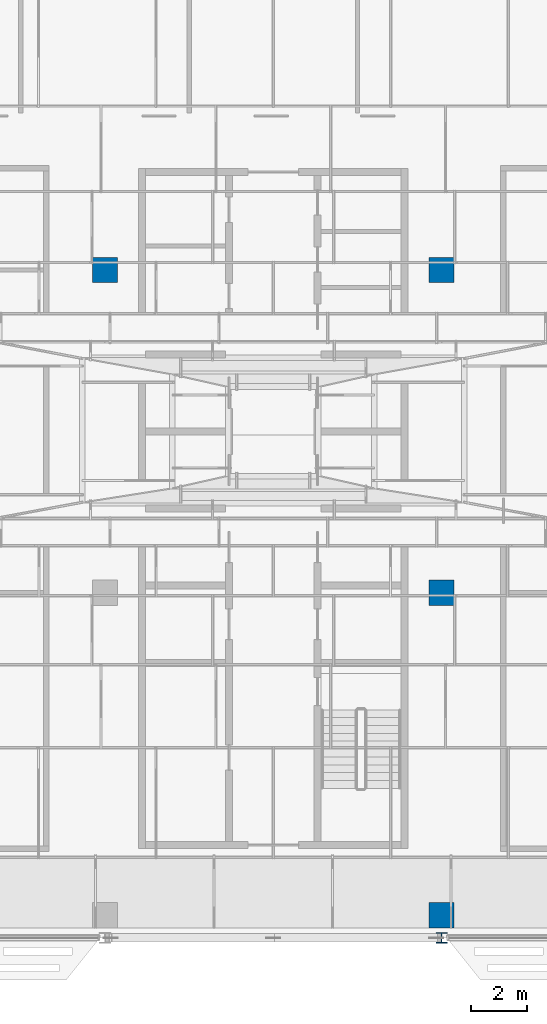
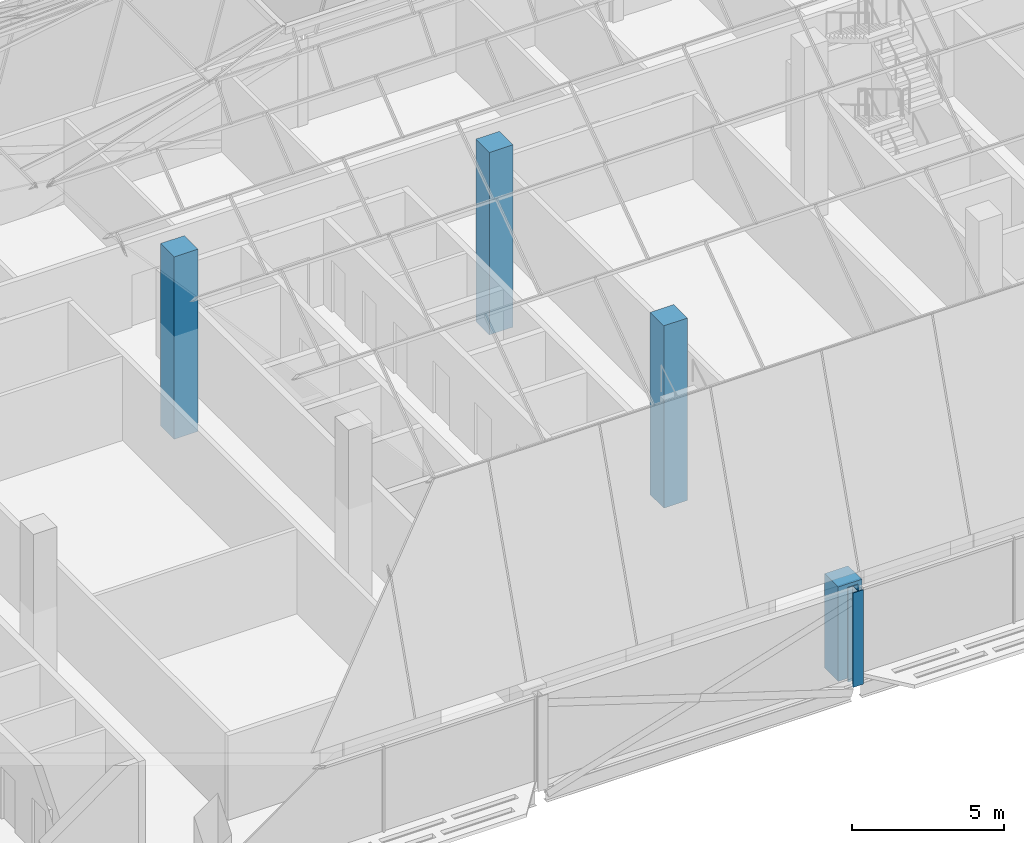
# One storey, part 2 of 39: 5 columns.
"""IFC4 building model written with IfcOpenShell, lengths in metres."""

from ifc_helpers import new_model, si_unit, direction, frame, origin, origin_2d, place, context, subcontext, project, spatial, rectangle, i_section, extrude, material, material_profile, profile_set, type_object, element, save


model = new_model("IFC4")

# Units and contexts
model_context = context("Model", 3, precision=1e-05, world=origin(), true_north=direction((0.0, 1.0)))
body_context = subcontext(model_context, "Body", "Model", "MODEL_VIEW")
ifc_project = project(units=[si_unit("LENGTHUNIT", "METRE"), si_unit("AREAUNIT", "SQUARE_METRE"), si_unit("VOLUMEUNIT", "CUBIC_METRE"), si_unit("PLANEANGLEUNIT", "RADIAN"), si_unit("MASSUNIT", "GRAM", prefix="KILO")], contexts=[model_context])

# Site, building, storey
site_placement = place(None, origin())
site = spatial("IfcSite", under=ifc_project, at=site_placement, CompositionType="ELEMENT")
building_placement = place(site_placement, origin())
building = spatial("IfcBuilding", under=site, at=building_placement, Name="Mahtab Terrace Research Tower", CompositionType="ELEMENT")
storey_placement = place(building_placement, frame((0.0, 0.0, 282.300048828125)))
storey = spatial("IfcBuildingStorey", under=building, at=storey_placement, Name="L69", CompositionType="ELEMENT", Elevation=282.300048828125)

# Columns
ifc_material_1 = material(Name="Concrete C70/85", Category="concrete")
ifc_material_profile_1 = material_profile(ifc_material_1, rectangle(XDim=0.89990234375, YDim=0.89990234375, at=origin_2d()), Name="RC column 900x900")
ifc_profile_set_1 = profile_set([ifc_material_profile_1], Name="Concrete C70/85")
column_type_1 = type_object("IfcColumnType", Name="RC column 900x900", PredefinedType="COLUMN", material=ifc_profile_set_1)
column_1_placement = place(storey_placement, frame((-6.0, 11.5, -0.340087890625), z_axis=(0.0, 0.0, 1.0), x_axis=(1.0, 0.0, 0.0)))
element("IfcColumn", 1, at=column_1_placement, inside=storey, type_object=column_type_1, Name="Column RC-4C L69", PredefinedType="COLUMN", context=body_context, shape_type="SweptSolid", body=[
    extrude(rectangle(XDim=0.89990234375, YDim=0.89990234375, at=origin_2d()), origin(), (0.0, 0.0, 1.0), 7.340087890625),
])
column_2_placement = place(storey_placement, frame((6.0, -11.5, -0.340087890625), z_axis=(0.0, 0.0, 1.0), x_axis=(1.0, 0.0, 0.0)))
element("IfcColumn", 2, at=column_2_placement, inside=storey, type_object=column_type_1, Name="Column RC-5A L69", PredefinedType="COLUMN", context=body_context, shape_type="SweptSolid", body=[
    extrude(rectangle(XDim=0.89990234375, YDim=0.89990234375, at=origin_2d()), origin(), (0.0, 0.0, 1.0), 3.800048828125),
])
for number, where, z_axis, x_axis, name in (
    (3, (6.0, 0.0, -0.340087890625), (0.0, 0.0, 1.0), (1.0, 0.0, 0.0), "Column RC-5B L69"),
    (4, (6.0, 11.5, -0.340087890625), (0.0, 0.0, 1.0), (1.0, 0.0, 0.0), "Column RC-5C L69"),
):
    element("IfcColumn", number, at=place(storey_placement, frame(where, z_axis=z_axis, x_axis=x_axis)), inside=storey, type_object=column_type_1, Name=name, PredefinedType="COLUMN", context=body_context, shape_type="SweptSolid", body=[
        extrude(rectangle(XDim=0.89990234375, YDim=0.89990234375, at=origin_2d()), origin(), (0.0, 0.0, 1.0), 7.340087890625),
    ])
ifc_material_2 = material(Name="Steel ASTM A992 Gr 50", Category="steel")
ifc_material_profile_2 = material_profile(ifc_material_2, i_section(OverallWidth=0.393798828125, OverallDepth=0.3759765625, WebThickness=0.017333984375, FlangeThickness=0.027587890625, at=origin_2d()), Name="W14X145")
ifc_profile_set_2 = profile_set([ifc_material_profile_2], Name="Steel ASTM A992 Gr 50")
column_type_2 = type_object("IfcColumnType", Name="W14x145 column CS14145", PredefinedType="COLUMN", material=ifc_profile_set_2)
column_3_placement = place(storey_placement, frame((6.0, -12.306884765625, -0.340087890625), z_axis=(0.0, 0.0, 1.0), x_axis=(1.0, 0.0, 0.0)))
element("IfcColumn", 5, at=column_3_placement, inside=storey, type_object=column_type_2, Name="Column SC-085 L69", PredefinedType="COLUMN", context=body_context, shape_type="SweptSolid", body=[
    extrude(i_section(OverallWidth=0.393798828125, OverallDepth=0.3759765625, WebThickness=0.017333984375, FlangeThickness=0.027587890625, at=origin_2d()), origin(), (0.0, 0.0, 1.0), 3.800048828125),
])

save(model, "model.ifc")
